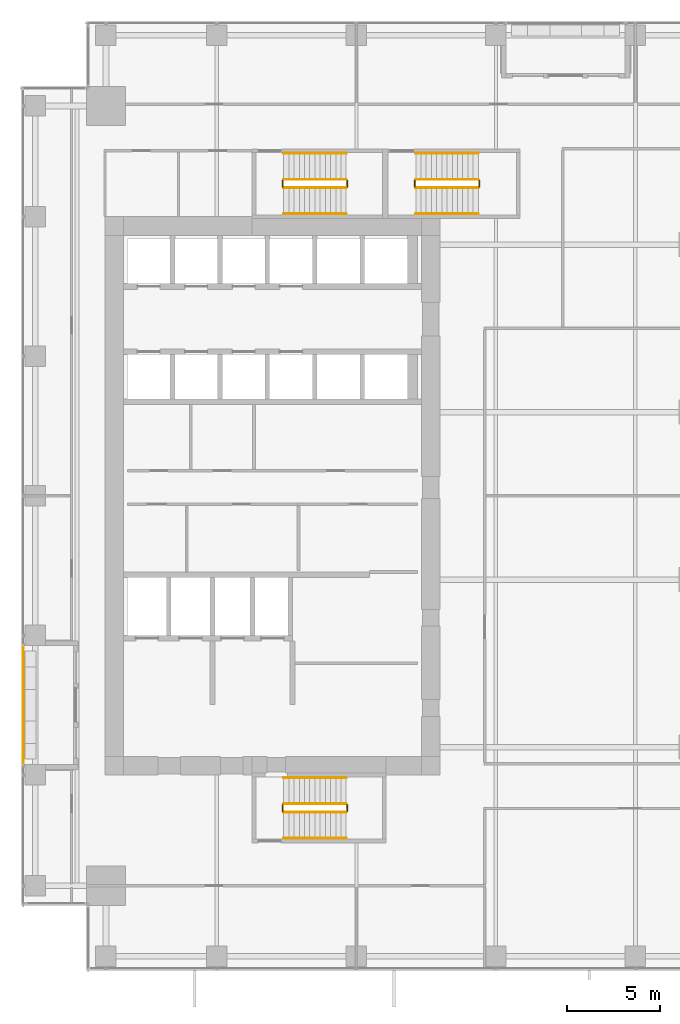
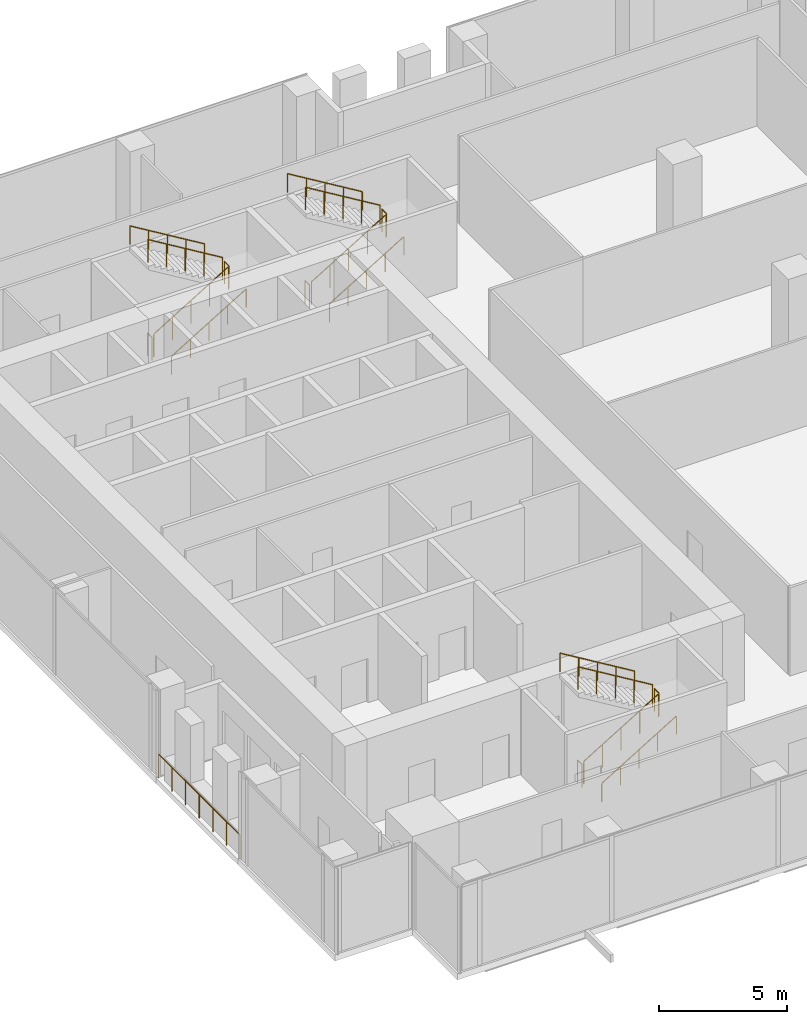
# One storey, part 32 of 34: 19 railings.
"""IFC4 building model written with IfcOpenShell, lengths in metres."""

from ifc_helpers import new_model, si_unit, direction, frame, origin, origin_2d, place, context, subcontext, project, spatial, circle, extrude, source, transform, mapped, material, type_object, element, save


model = new_model("IFC4")

# Units and contexts
model_context = context("Model", 3, precision=1e-05, world=origin(), true_north=direction((0.0, 1.0)))
body_context = subcontext(model_context, "Body", "Model", "MODEL_VIEW")
ifc_project = project(units=[si_unit("LENGTHUNIT", "METRE"), si_unit("AREAUNIT", "SQUARE_METRE"), si_unit("VOLUMEUNIT", "CUBIC_METRE"), si_unit("PLANEANGLEUNIT", "RADIAN"), si_unit("MASSUNIT", "GRAM", prefix="KILO")], contexts=[model_context])

# Site, building, storey
site_placement = place(None, origin())
site = spatial("IfcSite", under=ifc_project, at=site_placement, CompositionType="ELEMENT")
building_placement = place(site_placement, origin())
building = spatial("IfcBuilding", under=site, at=building_placement, Name="Khomas Fold Tower", CompositionType="ELEMENT")
storey_placement = place(building_placement, frame((0.0, 0.0, 123.5)))
storey = spatial("IfcBuildingStorey", under=building, at=storey_placement, Name="L26", CompositionType="ELEMENT", Elevation=123.5)

# Railings
ifc_material_1 = material(Name="Powder-coated steel", Category="steel")
railing_type_1 = type_object("IfcRailingType", Name="Balcony guard", PredefinedType="GUARDRAIL", material=ifc_material_1)
shared_shape_1 = source(origin(), body_context, "Body", "SweptSolid", [
    extrude(circle(Radius=0.02490234375, at=origin_2d()), frame((0.0, 0.0, 1.125), z_axis=(0.0, 1.0, 0.0), x_axis=(-1.0, 0.0, 0.0)), (0.0, 0.0, 1.0), 6.33984375),
    extrude(circle(Radius=0.02001953125, at=origin_2d()), origin(), (0.0, 0.0, 1.0), 1.099853515625),
    extrude(circle(Radius=0.02001953125, at=origin_2d()), frame((0.0, 1.056640625, 0.0)), (0.0, 0.0, 1.0), 1.099853515625),
    extrude(circle(Radius=0.02001953125, at=origin_2d()), frame((0.0, 2.11328125, 0.0)), (0.0, 0.0, 1.0), 1.099853515625),
    extrude(circle(Radius=0.02001953125, at=origin_2d()), frame((0.0, 3.169921875, 0.0)), (0.0, 0.0, 1.0), 1.099853515625),
    extrude(circle(Radius=0.02001953125, at=origin_2d()), frame((0.0, 4.2265625, 0.0)), (0.0, 0.0, 1.0), 1.099853515625),
    extrude(circle(Radius=0.02001953125, at=origin_2d()), frame((0.0, 5.283203125, 0.0)), (0.0, 0.0, 1.0), 1.099853515625),
    extrude(circle(Radius=0.02001953125, at=origin_2d()), frame((0.0, 6.33984375, 0.0)), (0.0, 0.0, 1.0), 1.099853515625),
])
railing_1_placement = place(storey_placement, frame((1.60009765625, 12.580078125, -0.044921875)))
element("IfcRailing", 1, at=railing_1_placement, inside=storey, type_object=railing_type_1, Name="Balcony guard BAL-L26-W1", PredefinedType="GUARDRAIL", context=body_context, shape_type="MappedRepresentation", body=[
    mapped(shared_shape_1, transform((0.0, 0.0, 0.0))),
])
ifc_material_2 = material(Name="Steel balustrade", Category="steel")
railing_type_2 = type_object("IfcRailingType", Name="Stair guard", PredefinedType="GUARDRAIL", material=ifc_material_2)
shared_shape_2 = source(origin(), body_context, "Body", "SweptSolid", [
    extrude(circle(Radius=0.02392578125, at=origin_2d()), frame((0.0, 0.0, 1.076171875), z_axis=(0.0, 1.0, 0.0), x_axis=(-1.0, 0.0, 0.0)), (0.0, 0.0, 1.0), 0.349853515625),
    extrude(circle(Radius=0.02099609375, at=origin_2d()), origin(), (0.0, 0.0, 1.0), 1.052001953125),
    extrude(circle(Radius=0.02099609375, at=origin_2d()), frame((0.0, 0.349853515625, 0.0)), (0.0, 0.0, 1.0), 1.052001953125),
])
for number, where, name in (
    (2, (19.010009765625, 43.60009765625, 2.199951171875), "L26 ST1 stair guard 2"),
    (3, (15.550048828125, 43.60009765625, 0.0), "L26 ST1 stair guard 4"),
    (4, (19.010009765625, 10.050048828125, 2.199951171875), "L26 ST2 stair guard 2"),
    (5, (15.550048828125, 10.050048828125, 0.0), "L26 ST2 stair guard 4"),
    (6, (26.110107421875, 43.60009765625, 2.199951171875), "L26 ST3 stair guard 2"),
    (7, (22.64990234375, 43.60009765625, 0.0), "L26 ST3 stair guard 4"),
):
    element("IfcRailing", number, at=place(storey_placement, frame(where)), inside=storey, type_object=railing_type_2, Name=name, PredefinedType="GUARDRAIL", context=body_context, shape_type="MappedRepresentation", body=[
        mapped(shared_shape_2, transform((0.0, 0.0, 0.0))),
    ])
shared_shape_3 = source(origin(), body_context, "Body", "SweptSolid", [
    extrude(circle(Radius=0.02392578125, at=origin_2d()), frame((0.0, 0.0, 1.076171875), z_axis=(0.855820338506, 0.0, 0.51727318527), x_axis=(0.0, 1.0, 0.0)), (0.0, 0.0, 1.0), 3.92578125),
    extrude(circle(Radius=0.02099609375, at=origin_2d()), origin(), (0.0, 0.0, 1.0), 1.052001953125),
    extrude(circle(Radius=0.02099609375, at=origin_2d()), frame((0.83984375, 0.0, 0.5078125)), (0.0, 0.0, 1.0), 1.052001953125),
    extrude(circle(Radius=0.02099609375, at=origin_2d()), frame((1.679931640625, 0.0, 1.015380859375)), (0.0, 0.0, 1.0), 1.052001953125),
    extrude(circle(Radius=0.02099609375, at=origin_2d()), frame((2.52001953125, 0.0, 1.52294921875)), (0.0, 0.0, 1.0), 1.052001953125),
    extrude(circle(Radius=0.02099609375, at=origin_2d()), frame((3.35986328125, 0.0, 2.03076171875)), (0.0, 0.0, 1.0), 1.052001953125),
])
for number, where, name in (
    (8, (15.60009765625, 43.550048828125, 0.169189453125), "L26 ST1 stair guard 1"),
    (9, (15.60009765625, 10.0, 0.169189453125), "L26 ST2 stair guard 1"),
):
    element("IfcRailing", number, at=place(storey_placement, frame(where)), inside=storey, type_object=railing_type_2, Name=name, PredefinedType="GUARDRAIL", context=body_context, shape_type="MappedRepresentation", body=[
        mapped(shared_shape_3, transform((0.0, 0.0, 0.0))),
    ])
shared_shape_4 = source(origin(), body_context, "Body", "SweptSolid", [
    extrude(circle(Radius=0.02392578125, at=origin_2d()), frame((0.0, 0.0, 1.076171875), z_axis=(-0.855820338506, 0.0, 0.51727318527), x_axis=(0.0, -1.0, 0.0)), (0.0, 0.0, 1.0), 3.92578125),
    extrude(circle(Radius=0.02099609375, at=origin_2d()), origin(), (0.0, 0.0, 1.0), 1.052001953125),
    extrude(circle(Radius=0.02099609375, at=origin_2d()), frame((-0.83984375, 0.0, 0.5078125)), (0.0, 0.0, 1.0), 1.052001953125),
    extrude(circle(Radius=0.02099609375, at=origin_2d()), frame((-1.679931640625, 0.0, 1.015380859375)), (0.0, 0.0, 1.0), 1.052001953125),
    extrude(circle(Radius=0.02099609375, at=origin_2d()), frame((-2.52001953125, 0.0, 1.52294921875)), (0.0, 0.0, 1.0), 1.052001953125),
    extrude(circle(Radius=0.02099609375, at=origin_2d()), frame((-3.35986328125, 0.0, 2.03076171875)), (0.0, 0.0, 1.0), 1.052001953125),
])
for number, where, name in (
    (10, (18.9599609375, 44.0, 2.369140625), "L26 ST1 stair guard 3"),
    (11, (18.9599609375, 10.449951171875, 2.369140625), "L26 ST2 stair guard 3"),
):
    element("IfcRailing", number, at=place(storey_placement, frame(where)), inside=storey, type_object=railing_type_2, Name=name, PredefinedType="GUARDRAIL", context=body_context, shape_type="MappedRepresentation", body=[
        mapped(shared_shape_4, transform((0.0, 0.0, 0.0))),
    ])
ifc_material_3 = material(Name="Steel handrail", Category="steel")
railing_type_3 = type_object("IfcRailingType", Name="Stair handrail", PredefinedType="HANDRAIL", material=ifc_material_3)
shared_shape_5 = source(origin(), body_context, "Body", "SweptSolid", [
    extrude(circle(Radius=0.02392578125, at=origin_2d()), frame((0.0, 0.0, 0.8759765625), z_axis=(0.855820338506, 0.0, 0.51727318527), x_axis=(0.0, 1.0, 0.0)), (0.0, 0.0, 1.0), 3.92578125),
    extrude(circle(Radius=0.02099609375, at=origin_2d()), origin(), (0.0, 0.0, 1.0), 0.851806640625),
    extrude(circle(Radius=0.02099609375, at=origin_2d()), frame((0.83984375, 0.0, 0.5078125)), (0.0, 0.0, 1.0), 0.851806640625),
    extrude(circle(Radius=0.02099609375, at=origin_2d()), frame((1.679931640625, 0.0, 1.015380859375)), (0.0, 0.0, 1.0), 0.851806640625),
    extrude(circle(Radius=0.02099609375, at=origin_2d()), frame((2.52001953125, 0.0, 1.52294921875)), (0.0, 0.0, 1.0), 0.851806640625),
    extrude(circle(Radius=0.02099609375, at=origin_2d()), frame((3.35986328125, 0.0, 2.03076171875)), (0.0, 0.0, 1.0), 0.851806640625),
])
for number, where, name in (
    (12, (15.60009765625, 42.14990234375, 0.169189453125), "L26 ST1 stair handrail 1"),
    (13, (15.60009765625, 8.60009765625, 0.169189453125), "L26 ST2 stair handrail 1"),
):
    element("IfcRailing", number, at=place(storey_placement, frame(where)), inside=storey, type_object=railing_type_3, Name=name, PredefinedType="HANDRAIL", context=body_context, shape_type="MappedRepresentation", body=[
        mapped(shared_shape_5, transform((0.0, 0.0, 0.0))),
    ])
shared_shape_6 = source(origin(), body_context, "Body", "SweptSolid", [
    extrude(circle(Radius=0.02392578125, at=origin_2d()), frame((0.0, 0.0, 0.8759765625), z_axis=(-0.855820338506, 0.0, 0.51727318527), x_axis=(0.0, -1.0, 0.0)), (0.0, 0.0, 1.0), 3.92578125),
    extrude(circle(Radius=0.02099609375, at=origin_2d()), origin(), (0.0, 0.0, 1.0), 0.851806640625),
    extrude(circle(Radius=0.02099609375, at=origin_2d()), frame((-0.83984375, 0.0, 0.5078125)), (0.0, 0.0, 1.0), 0.851806640625),
    extrude(circle(Radius=0.02099609375, at=origin_2d()), frame((-1.679931640625, 0.0, 1.015380859375)), (0.0, 0.0, 1.0), 0.851806640625),
    extrude(circle(Radius=0.02099609375, at=origin_2d()), frame((-2.52001953125, 0.0, 1.52294921875)), (0.0, 0.0, 1.0), 0.851806640625),
    extrude(circle(Radius=0.02099609375, at=origin_2d()), frame((-3.35986328125, 0.0, 2.03076171875)), (0.0, 0.0, 1.0), 0.851806640625),
])
for number, where, name in (
    (14, (18.9599609375, 45.39990234375, 2.369140625), "L26 ST1 stair handrail 2"),
    (15, (18.9599609375, 11.85009765625, 2.369140625), "L26 ST2 stair handrail 2"),
):
    element("IfcRailing", number, at=place(storey_placement, frame(where)), inside=storey, type_object=railing_type_3, Name=name, PredefinedType="HANDRAIL", context=body_context, shape_type="MappedRepresentation", body=[
        mapped(shared_shape_6, transform((0.0, 0.0, 0.0))),
    ])
shared_shape_7 = source(origin(), body_context, "Body", "SweptSolid", [
    extrude(circle(Radius=0.02392578125, at=origin_2d()), frame((0.0, 0.0, 1.076171875), z_axis=(0.855836976705, 0.0, 0.517245656632), x_axis=(0.0, 1.0, 0.0)), (0.0, 0.0, 1.0), 3.926025390625),
    extrude(circle(Radius=0.02099609375, at=origin_2d()), origin(), (0.0, 0.0, 1.0), 1.052001953125),
    extrude(circle(Radius=0.02099609375, at=origin_2d()), frame((0.840087890625, 0.0, 0.5078125)), (0.0, 0.0, 1.0), 1.052001953125),
    extrude(circle(Radius=0.02099609375, at=origin_2d()), frame((1.68017578125, 0.0, 1.015380859375)), (0.0, 0.0, 1.0), 1.052001953125),
    extrude(circle(Radius=0.02099609375, at=origin_2d()), frame((2.52001953125, 0.0, 1.52294921875)), (0.0, 0.0, 1.0), 1.052001953125),
    extrude(circle(Radius=0.02099609375, at=origin_2d()), frame((3.360107421875, 0.0, 2.03076171875)), (0.0, 0.0, 1.0), 1.052001953125),
])
railing_2_placement = place(storey_placement, frame((22.699951171875, 43.550048828125, 0.169189453125)))
element("IfcRailing", 16, at=railing_2_placement, inside=storey, type_object=railing_type_2, Name="L26 ST3 stair guard 1", PredefinedType="GUARDRAIL", context=body_context, shape_type="MappedRepresentation", body=[
    mapped(shared_shape_7, transform((0.0, 0.0, 0.0))),
])
shared_shape_8 = source(origin(), body_context, "Body", "SweptSolid", [
    extrude(circle(Radius=0.02392578125, at=origin_2d()), frame((0.0, 0.0, 1.076171875), z_axis=(-0.855836976705, 0.0, 0.517245656632), x_axis=(0.0, -1.0, 0.0)), (0.0, 0.0, 1.0), 3.926025390625),
    extrude(circle(Radius=0.02099609375, at=origin_2d()), origin(), (0.0, 0.0, 1.0), 1.052001953125),
    extrude(circle(Radius=0.02099609375, at=origin_2d()), frame((-0.840087890625, 0.0, 0.5078125)), (0.0, 0.0, 1.0), 1.052001953125),
    extrude(circle(Radius=0.02099609375, at=origin_2d()), frame((-1.68017578125, 0.0, 1.015380859375)), (0.0, 0.0, 1.0), 1.052001953125),
    extrude(circle(Radius=0.02099609375, at=origin_2d()), frame((-2.52001953125, 0.0, 1.52294921875)), (0.0, 0.0, 1.0), 1.052001953125),
    extrude(circle(Radius=0.02099609375, at=origin_2d()), frame((-3.360107421875, 0.0, 2.03076171875)), (0.0, 0.0, 1.0), 1.052001953125),
])
railing_3_placement = place(storey_placement, frame((26.06005859375, 44.0, 2.369140625)))
element("IfcRailing", 17, at=railing_3_placement, inside=storey, type_object=railing_type_2, Name="L26 ST3 stair guard 3", PredefinedType="GUARDRAIL", context=body_context, shape_type="MappedRepresentation", body=[
    mapped(shared_shape_8, transform((0.0, 0.0, 0.0))),
])
shared_shape_9 = source(origin(), body_context, "Body", "SweptSolid", [
    extrude(circle(Radius=0.02392578125, at=origin_2d()), frame((0.0, 0.0, 0.8759765625), z_axis=(0.855836976705, 0.0, 0.517245656632), x_axis=(0.0, 1.0, 0.0)), (0.0, 0.0, 1.0), 3.926025390625),
    extrude(circle(Radius=0.02099609375, at=origin_2d()), origin(), (0.0, 0.0, 1.0), 0.851806640625),
    extrude(circle(Radius=0.02099609375, at=origin_2d()), frame((0.840087890625, 0.0, 0.5078125)), (0.0, 0.0, 1.0), 0.851806640625),
    extrude(circle(Radius=0.02099609375, at=origin_2d()), frame((1.68017578125, 0.0, 1.015380859375)), (0.0, 0.0, 1.0), 0.851806640625),
    extrude(circle(Radius=0.02099609375, at=origin_2d()), frame((2.52001953125, 0.0, 1.52294921875)), (0.0, 0.0, 1.0), 0.851806640625),
    extrude(circle(Radius=0.02099609375, at=origin_2d()), frame((3.360107421875, 0.0, 2.03076171875)), (0.0, 0.0, 1.0), 0.851806640625),
])
railing_4_placement = place(storey_placement, frame((22.699951171875, 42.14990234375, 0.169189453125)))
element("IfcRailing", 18, at=railing_4_placement, inside=storey, type_object=railing_type_3, Name="L26 ST3 stair handrail 1", PredefinedType="HANDRAIL", context=body_context, shape_type="MappedRepresentation", body=[
    mapped(shared_shape_9, transform((0.0, 0.0, 0.0))),
])
shared_shape_10 = source(origin(), body_context, "Body", "SweptSolid", [
    extrude(circle(Radius=0.02392578125, at=origin_2d()), frame((0.0, 0.0, 0.8759765625), z_axis=(-0.855836976705, 0.0, 0.517245656632), x_axis=(0.0, -1.0, 0.0)), (0.0, 0.0, 1.0), 3.926025390625),
    extrude(circle(Radius=0.02099609375, at=origin_2d()), origin(), (0.0, 0.0, 1.0), 0.851806640625),
    extrude(circle(Radius=0.02099609375, at=origin_2d()), frame((-0.840087890625, 0.0, 0.5078125)), (0.0, 0.0, 1.0), 0.851806640625),
    extrude(circle(Radius=0.02099609375, at=origin_2d()), frame((-1.68017578125, 0.0, 1.015380859375)), (0.0, 0.0, 1.0), 0.851806640625),
    extrude(circle(Radius=0.02099609375, at=origin_2d()), frame((-2.52001953125, 0.0, 1.52294921875)), (0.0, 0.0, 1.0), 0.851806640625),
    extrude(circle(Radius=0.02099609375, at=origin_2d()), frame((-3.360107421875, 0.0, 2.03076171875)), (0.0, 0.0, 1.0), 0.851806640625),
])
railing_5_placement = place(storey_placement, frame((26.06005859375, 45.39990234375, 2.369140625)))
element("IfcRailing", 19, at=railing_5_placement, inside=storey, type_object=railing_type_3, Name="L26 ST3 stair handrail 2", PredefinedType="HANDRAIL", context=body_context, shape_type="MappedRepresentation", body=[
    mapped(shared_shape_10, transform((0.0, 0.0, 0.0))),
])

save(model, "model.ifc")
